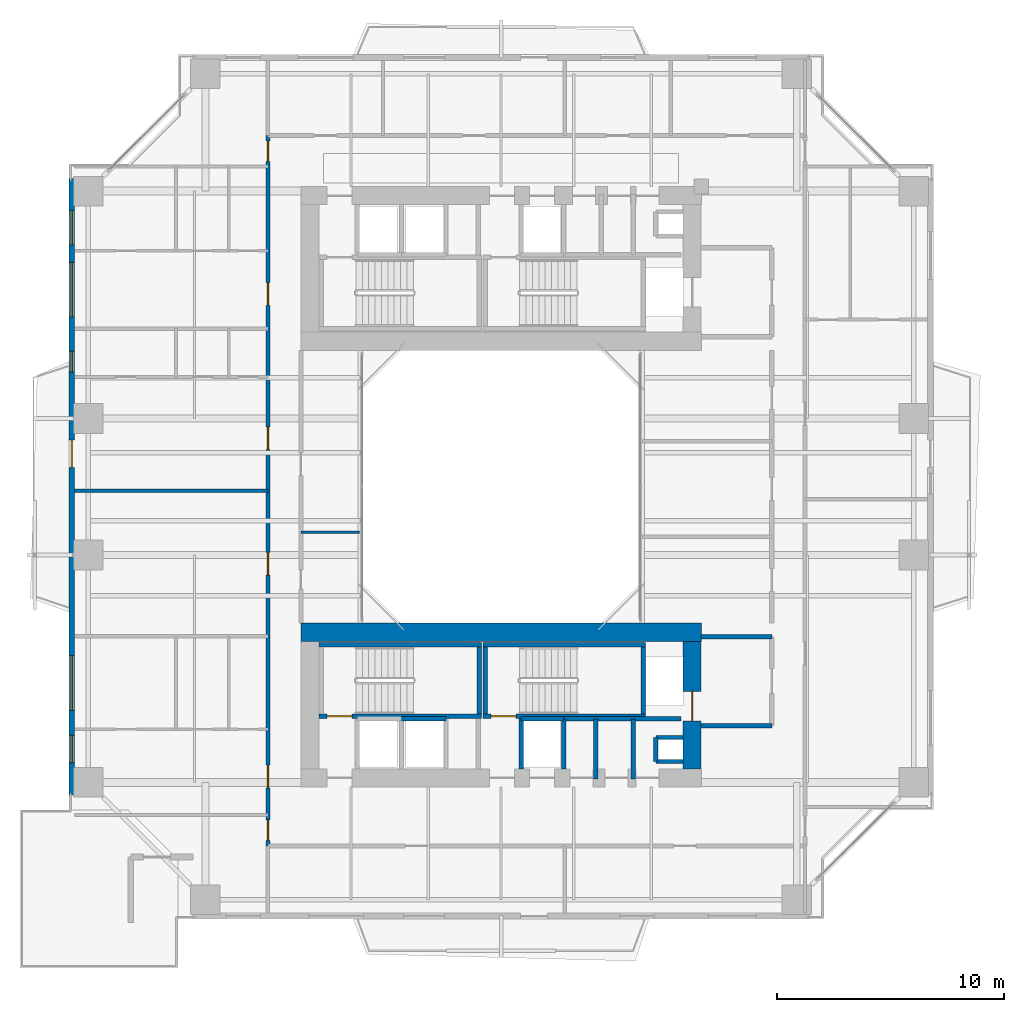
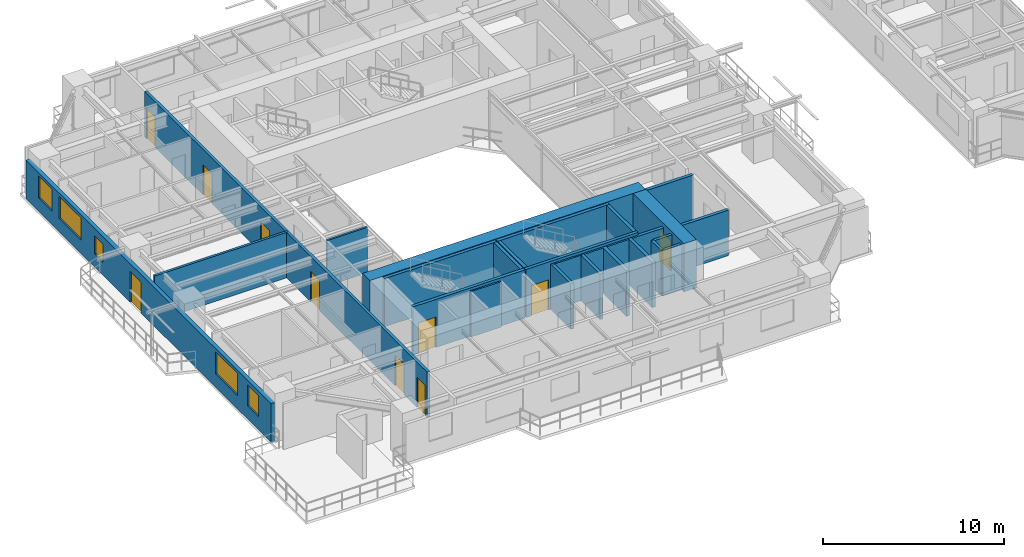
# One storey, part 13 of 24: 25 walls, 10 doors, 5 windows, 15 openings.
"""IFC4 building model written with IfcOpenShell, lengths in metres."""

from ifc_helpers import new_model, si_unit, direction, frame, frame_2d, origin, place, context, subcontext, project, spatial, rectangle, extrude, source, transform, mapped, material, layer, layer_set, type_object, element, fill, save


model = new_model("IFC4")

# Units and contexts
model_context = context("Model", 3, precision=1e-05, world=origin(), true_north=direction((0.0, 1.0)))
body_context = subcontext(model_context, "Body", "Model", "MODEL_VIEW")
ifc_project = project(units=[si_unit("LENGTHUNIT", "METRE"), si_unit("AREAUNIT", "SQUARE_METRE"), si_unit("VOLUMEUNIT", "CUBIC_METRE"), si_unit("PLANEANGLEUNIT", "RADIAN"), si_unit("MASSUNIT", "GRAM", prefix="KILO"), si_unit("THERMODYNAMICTEMPERATUREUNIT", "KELVIN"), si_unit("POWERUNIT", "WATT")], contexts=[model_context])

# Site, building, storey
site_placement = place(None, origin())
site = spatial("IfcSite", under=ifc_project, at=site_placement, CompositionType="ELEMENT")
building_placement = place(site_placement, origin())
building = spatial("IfcBuilding", under=site, at=building_placement, Name="Qiaomeng Ring Towers", CompositionType="ELEMENT")
storey_placement = place(building_placement, frame((0.0, 0.0, 63.25)))
storey = spatial("IfcBuildingStorey", under=building, at=storey_placement, Name="L17", CompositionType="ELEMENT", Elevation=63.25)

# Wall, openings, door, windows
ifc_material_1 = material(Name="Precast concrete C40", Category="concrete")
ifc_layer_1 = layer(ifc_material_1, 0.25, Name="Precast concrete C40")
ifc_layer_set_1 = layer_set([ifc_layer_1], Name="Precast concrete C40")
wall_type_1 = type_object("IfcWallType", Name="ARC-WL-EW1", PredefinedType="STANDARD", material=ifc_layer_set_1)
wall_1_placement = place(storey_placement, frame((0.125, 9.449951171875, 0.0), z_axis=(0.0, 0.0, 1.0), x_axis=(0.0, 1.0, 0.0)))
wall_1 = element("IfcWall", 1, at=wall_1_placement, inside=storey, type_object=wall_type_1, Name="L17 Tower 1 W Exterior Wall", PredefinedType="STANDARD", context=body_context, shape_type="SweptSolid", body=[
    extrude(rectangle(XDim=27.10009765625, YDim=0.25, at=frame_2d((13.550048828125, 0.0))), origin(), (0.0, 0.0, 1.0), 2.610107421875),
])
opening_1_placement = place(wall_1_placement, frame((14.39990234375, 0.0, 0.0)))
opening_1 = element("IfcOpeningElement", 2, at=opening_1_placement, cuts=wall_1, Name="Opening BD1", PredefinedType="OPENING", context=body_context, shape_type="SweptSolid", body=[
    extrude(rectangle(XDim=1.199951171875, YDim=2.10009765625, at=frame_2d((0.60009765625, 1.050048828125))), frame((0.0, 0.135009765625, 0.0), z_axis=(0.0, -1.0, 0.0), x_axis=(1.0, 0.0, 0.0)), (0.0, 0.0, 1.0), 0.27001953125),
])
opening_2_placement = place(wall_1_placement, frame((1.41748046875, 0.0, 0.89990234375)))
opening_2 = element("IfcOpeningElement", 3, at=opening_2_placement, cuts=wall_1, Name="Opening WN3", PredefinedType="OPENING", context=body_context, shape_type="SweptSolid", body=[
    extrude(rectangle(XDim=1.199951171875, YDim=1.39990234375, at=frame_2d((0.60009765625, 0.699951171875))), frame((0.0, 0.135009765625, 0.0), z_axis=(0.0, -1.0, 0.0), x_axis=(1.0, 0.0, 0.0)), (0.0, 0.0, 1.0), 0.27001953125),
])
opening_3_placement = place(wall_1_placement, frame((24.1875, 0.0, 0.89990234375)))
opening_3 = element("IfcOpeningElement", 4, at=opening_3_placement, cuts=wall_1, Name="Opening WN2", PredefinedType="OPENING", context=body_context, shape_type="SweptSolid", body=[
    extrude(rectangle(XDim=1.5, YDim=1.5, at=frame_2d((0.75, 0.75))), frame((0.0, 0.135009765625, 0.0), z_axis=(0.0, -1.0, 0.0), x_axis=(1.0, 0.0, 0.0)), (0.0, 0.0, 1.0), 0.27001953125),
])
opening_4_placement = place(wall_1_placement, frame((3.722412109375, 0.0, 0.89990234375)))
opening_4 = element("IfcOpeningElement", 5, at=opening_4_placement, cuts=wall_1, Name="Opening WN6", PredefinedType="OPENING", context=body_context, shape_type="SweptSolid", body=[
    extrude(rectangle(XDim=2.39990234375, YDim=1.5, at=frame_2d((1.199951171875, 0.75))), frame((0.0, 0.135009765625, 0.0), z_axis=(0.0, -1.0, 0.0), x_axis=(1.0, 0.0, 0.0)), (0.0, 0.0, 1.0), 0.27001953125),
])
opening_5_placement = place(wall_1_placement, frame((21.017578125, 0.0, 0.89990234375)))
opening_5 = element("IfcOpeningElement", 6, at=opening_5_placement, cuts=wall_1, Name="Opening WN6", PredefinedType="OPENING", context=body_context, shape_type="SweptSolid", body=[
    extrude(rectangle(XDim=2.39990234375, YDim=1.5, at=frame_2d((1.199951171875, 0.75))), frame((0.0, 0.135009765625, 0.0), z_axis=(0.0, -1.0, 0.0), x_axis=(1.0, 0.0, 0.0)), (0.0, 0.0, 1.0), 0.27001953125),
])
opening_6_placement = place(wall_1_placement, frame((18.60009765625, 0.0, 0.89990234375)))
opening_6 = element("IfcOpeningElement", 7, at=opening_6_placement, cuts=wall_1, Name="Opening WN5", PredefinedType="OPENING", context=body_context, shape_type="SweptSolid", body=[
    extrude(rectangle(XDim=0.89990234375, YDim=1.199951171875, at=frame_2d((0.449951171875, 0.60009765625))), frame((0.0, 0.135009765625, 0.0), z_axis=(0.0, -1.0, 0.0), x_axis=(1.0, 0.0, 0.0)), (0.0, 0.0, 1.0), 0.27001953125),
])
ifc_material_2 = material(Name="Low-E dark-grey laminated double glazing", Category="glass")
door_type_1 = type_object("IfcDoorType", Name="ARC-DR-BD1", OperationType="NOTDEFINED", PredefinedType="DOOR", material=ifc_material_2)
shared_shape_1 = source(origin(), body_context, "Body", "SweptSolid", [
    extrude(rectangle(XDim=1.199951171875, YDim=2.10009765625, at=frame_2d((0.60009765625, 1.050048828125))), frame((0.0, 0.02490234375, 0.0), z_axis=(0.0, -1.0, 0.0), x_axis=(1.0, 0.0, 0.0)), (0.0, 0.0, 1.0), 0.050048828125),
])
door_1_placement = place(opening_1_placement, frame((1.199951171875, 0.0, 0.0), z_axis=(0.0, 0.0, 1.0), x_axis=(-1.0, 0.0, 0.0)))
door_1 = element("IfcDoor", 8, at=door_1_placement, inside=storey, type_object=door_type_1, Name="L17 W Balcony Glazed Door", OperationType="SINGLE_SWING_LEFT", OverallHeight=2.10009765625, OverallWidth=1.199951171875, PredefinedType="DOOR", context=body_context, shape_type="MappedRepresentation", body=[
    mapped(shared_shape_1, transform((0.0, 0.0, 0.0), x_axis=(1.0, 0.0, 0.0), y_axis=(0.0, 1.0, 0.0), z_axis=(0.0, 0.0, 1.0), scale=1.0)),
])
fill(opening_1, door_1)
window_type_1 = type_object("IfcWindowType", Name="ARC-WN-2", PartitioningType="DOUBLE_PANEL_VERTICAL", PredefinedType="WINDOW", material=ifc_material_2)
shared_shape_2 = source(origin(), body_context, "Body", "SweptSolid", [
    extrude(rectangle(XDim=1.5, YDim=1.5, at=frame_2d((0.75, 0.75))), frame((0.0, 0.030029296875, 0.0), z_axis=(0.0, -1.0, 0.0), x_axis=(1.0, 0.0, 0.0)), (0.0, 0.0, 1.0), 0.06005859375),
])
window_1_placement = place(opening_3_placement, origin())
window_1 = element("IfcWindow", 9, at=window_1_placement, inside=storey, type_object=window_type_1, Name="L17 Exterior Window WN4", OverallHeight=1.5, OverallWidth=1.5, PartitioningType="TRIPLE_PANEL_VERTICAL", PredefinedType="WINDOW", context=body_context, shape_type="MappedRepresentation", body=[
    mapped(shared_shape_2, transform((0.0, 0.0, 0.0), x_axis=(1.0, 0.0, 0.0), y_axis=(0.0, 1.0, 0.0), z_axis=(0.0, 0.0, 1.0), scale=1.0)),
])
fill(opening_3, window_1)
window_type_2 = type_object("IfcWindowType", Name="ARC-WN-6", PartitioningType="TRIPLE_PANEL_VERTICAL", PredefinedType="WINDOW", material=ifc_material_2)
shared_shape_3 = source(origin(), body_context, "Body", "SweptSolid", [
    extrude(rectangle(XDim=2.39990234375, YDim=1.5, at=frame_2d((1.199951171875, 0.75))), frame((0.0, 0.030029296875, 0.0), z_axis=(0.0, -1.0, 0.0), x_axis=(1.0, 0.0, 0.0)), (0.0, 0.0, 1.0), 0.06005859375),
])
window_2_placement = place(opening_4_placement, origin())
window_2 = element("IfcWindow", 10, at=window_2_placement, inside=storey, type_object=window_type_2, Name="L17 Exterior Window WN6", OverallHeight=1.5, OverallWidth=2.39990234375, PartitioningType="TRIPLE_PANEL_VERTICAL", PredefinedType="WINDOW", context=body_context, shape_type="MappedRepresentation", body=[
    mapped(shared_shape_3, transform((0.0, 0.0, 0.0), x_axis=(1.0, 0.0, 0.0), y_axis=(0.0, 1.0, 0.0), z_axis=(0.0, 0.0, 1.0), scale=1.0)),
])
fill(opening_4, window_2)
window_3_placement = place(opening_5_placement, origin())
window_3 = element("IfcWindow", 11, at=window_3_placement, inside=storey, type_object=window_type_2, Name="L17 Exterior Window WN6", OverallHeight=1.5, OverallWidth=2.39990234375, PartitioningType="TRIPLE_PANEL_VERTICAL", PredefinedType="WINDOW", context=body_context, shape_type="MappedRepresentation", body=[
    mapped(shared_shape_3, transform((0.0, 0.0, 0.0), x_axis=(1.0, 0.0, 0.0), y_axis=(0.0, 1.0, 0.0), z_axis=(0.0, 0.0, 1.0), scale=1.0)),
])
fill(opening_5, window_3)
window_type_3 = type_object("IfcWindowType", Name="ARC-WN-3", PartitioningType="SINGLE_PANEL", PredefinedType="WINDOW", material=ifc_material_2)
shared_shape_4 = source(origin(), body_context, "Body", "SweptSolid", [
    extrude(rectangle(XDim=1.199951171875, YDim=1.39990234375, at=frame_2d((0.60009765625, 0.699951171875))), frame((0.0, 0.030029296875, 0.0), z_axis=(0.0, -1.0, 0.0), x_axis=(1.0, 0.0, 0.0)), (0.0, 0.0, 1.0), 0.06005859375),
])
window_4_placement = place(opening_2_placement, origin())
window_4 = element("IfcWindow", 12, at=window_4_placement, inside=storey, type_object=window_type_3, Name="L17 Exterior Window WN6", OverallHeight=1.39990234375, OverallWidth=1.199951171875, PartitioningType="TRIPLE_PANEL_VERTICAL", PredefinedType="WINDOW", context=body_context, shape_type="MappedRepresentation", body=[
    mapped(shared_shape_4, transform((0.0, 0.0, 0.0), x_axis=(1.0, 0.0, 0.0), y_axis=(0.0, 1.0, 0.0), z_axis=(0.0, 0.0, 1.0), scale=1.0)),
])
fill(opening_2, window_4)
window_type_4 = type_object("IfcWindowType", Name="ARC-WN-5", PartitioningType="SINGLE_PANEL", PredefinedType="WINDOW", material=ifc_material_2)
shared_shape_5 = source(origin(), body_context, "Body", "SweptSolid", [
    extrude(rectangle(XDim=0.89990234375, YDim=1.199951171875, at=frame_2d((0.449951171875, 0.60009765625))), frame((0.0, 0.030029296875, 0.0), z_axis=(0.0, -1.0, 0.0), x_axis=(1.0, 0.0, 0.0)), (0.0, 0.0, 1.0), 0.06005859375),
])
window_5_placement = place(opening_6_placement, origin())
window_5 = element("IfcWindow", 13, at=window_5_placement, inside=storey, type_object=window_type_4, Name="L17 Exterior Window WN5", OverallHeight=1.199951171875, OverallWidth=0.89990234375, PartitioningType="SINGLE_PANEL", PredefinedType="WINDOW", context=body_context, shape_type="MappedRepresentation", body=[
    mapped(shared_shape_5, transform((0.0, 0.0, 0.0), x_axis=(1.0, 0.0, 0.0), y_axis=(0.0, 1.0, 0.0), z_axis=(0.0, 0.0, 1.0), scale=1.0)),
])
fill(opening_6, window_5)

# Walls
ifc_material_3 = material(Name="Autoclaved aerated concrete block", Category="concrete")
ifc_layer_2 = layer(ifc_material_3, 0.199951171875, Name="Autoclaved aerated concrete block")
ifc_layer_set_2 = layer_set([ifc_layer_2], Name="Autoclaved aerated concrete block")
wall_type_2 = type_object("IfcWallType", Name="ARC-WL-PW1", PredefinedType="PARTITIONING", material=ifc_layer_set_2)
for number, where, z_axis, x_axis, name in (
    (14, (27.800048828125, 16.39990234375, 0.0), (0.0, 0.0, 1.0), (1.0, 0.0, 0.0), "L17 Interior Wall PW1"),
    (15, (27.800048828125, 12.5, 0.0), (0.0, 0.0, 1.0), (1.0, 0.0, 0.0), "L17 Interior Wall PW1"),
):
    element("IfcWall", number, at=place(storey_placement, frame(where, z_axis=z_axis, x_axis=x_axis)), inside=storey, type_object=wall_type_2, Name=name, PredefinedType="PARTITIONING", context=body_context, shape_type="SweptSolid", body=[
        extrude(rectangle(XDim=3.099853515625, YDim=0.199951171875, at=frame_2d((1.5498046875, 0.0))), origin(), (0.0, 0.0, 1.0), 3.070068359375),
    ])
wall_2_placement = place(storey_placement, frame((19.8798828125, 10.60009765625, 0.0), z_axis=(0.0, 0.0, 1.0), x_axis=(0.0, 1.0, 0.0)))
element("IfcWall", 16, at=wall_2_placement, inside=storey, type_object=wall_type_2, Name="L17 Interior Wall PW1", PredefinedType="PARTITIONING", context=body_context, shape_type="SweptSolid", body=[
    extrude(rectangle(XDim=2.2099609375, YDim=0.199951171875, at=frame_2d((1.10498046875, 0.0))), origin(), (0.0, 0.0, 1.0), 3.070068359375),
])
wall_3_placement = place(storey_placement, frame((24.820068359375, 10.14990234375, 0.0), z_axis=(0.0, 0.0, 1.0), x_axis=(0.0, 1.0, 0.0)))
element("IfcWall", 17, at=wall_3_placement, inside=storey, type_object=wall_type_2, Name="L17 Interior Wall PW1", PredefinedType="PARTITIONING", context=body_context, shape_type="SweptSolid", body=[
    extrude(rectangle(XDim=2.650146484375, YDim=0.199951171875, at=frame_2d((1.3251953125, 0.0))), origin(), (0.0, 0.0, 1.0), 3.070068359375),
])
wall_4_placement = place(storey_placement, frame((21.75, 10.60009765625, 0.0), z_axis=(0.0, 0.0, 1.0), x_axis=(0.0, 1.0, 0.0)))
element("IfcWall", 18, at=wall_4_placement, inside=storey, type_object=wall_type_2, Name="L17 Interior Wall PW1", PredefinedType="PARTITIONING", context=body_context, shape_type="SweptSolid", body=[
    extrude(rectangle(XDim=2.199951171875, YDim=0.199951171875, at=frame_2d((1.10009765625, 0.0))), origin(), (0.0, 0.0, 1.0), 3.070068359375),
])
wall_5_placement = place(storey_placement, frame((23.169921875, 10.14990234375, 0.0), z_axis=(0.0, 0.0, 1.0), x_axis=(0.0, 1.0, 0.0)))
element("IfcWall", 19, at=wall_5_placement, inside=storey, type_object=wall_type_2, Name="L17 Interior Wall PW1", PredefinedType="PARTITIONING", context=body_context, shape_type="SweptSolid", body=[
    extrude(rectangle(XDim=2.650146484375, YDim=0.199951171875, at=frame_2d((1.3251953125, 0.0))), origin(), (0.0, 0.0, 1.0), 3.070068359375),
])
wall_6_placement = place(storey_placement, frame((21.75, 12.800048828125, 0.0), z_axis=(0.0, 0.0, 1.0), x_axis=(1.0, 0.0, 0.0)))
element("IfcWall", 20, at=wall_6_placement, inside=storey, type_object=wall_type_2, Name="L17 Interior Wall PW1", PredefinedType="PARTITIONING", context=body_context, shape_type="SweptSolid", body=[
    extrude(rectangle(XDim=5.169921875, YDim=0.199951171875, at=frame_2d((2.5849609375, 0.0))), origin(), (0.0, 0.0, 1.0), 3.070068359375),
])

# Wall, openings, doors
ifc_layer_3 = layer(ifc_material_3, 0.179931640625, Name="Autoclaved aerated concrete block")
ifc_layer_set_3 = layer_set([ifc_layer_3], Name="Autoclaved aerated concrete block")
wall_type_3 = type_object("IfcWallType", Name="ARC-WL-PW2", PredefinedType="PARTITIONING", material=ifc_layer_set_3)
wall_7_placement = place(storey_placement, frame((8.75, 7.2099609375, 0.0), z_axis=(0.0, 0.0, 1.0), x_axis=(0.0, 1.0, 0.0)))
wall_7 = element("IfcWall", 21, at=wall_7_placement, inside=storey, type_object=wall_type_3, Name="L17 Interior Wall PW2", PredefinedType="PARTITIONING", context=body_context, shape_type="SweptSolid", body=[
    extrude(rectangle(XDim=31.22998046875, YDim=0.179931640625, at=frame_2d((15.614990234375, 0.0))), origin(), (0.0, 0.0, 1.0), 3.070068359375),
])
opening_7_placement = place(wall_7_placement, frame((30.090087890625, 0.0, 0.0)))
opening_7 = element("IfcOpeningElement", 22, at=opening_7_placement, cuts=wall_7, Name="Opening ID1", PredefinedType="OPENING", context=body_context, shape_type="SweptSolid", body=[
    extrude(rectangle(XDim=0.89990234375, YDim=2.050048828125, at=frame_2d((0.449951171875, 1.02490234375))), frame((0.0, 0.099853515625, 0.0), z_axis=(0.0, -1.0, 0.0), x_axis=(1.0, 0.0, 0.0)), (0.0, 0.0, 1.0), 0.199951171875),
])
opening_8_placement = place(wall_7_placement, frame((0.239990234375, 0.0, 0.0)))
opening_8 = element("IfcOpeningElement", 23, at=opening_8_placement, cuts=wall_7, Name="Opening ID1", PredefinedType="OPENING", context=body_context, shape_type="SweptSolid", body=[
    extrude(rectangle(XDim=0.89990234375, YDim=2.050048828125, at=frame_2d((0.449951171875, 1.02490234375))), frame((0.0, 0.099853515625, 0.0), z_axis=(0.0, -1.0, 0.0), x_axis=(1.0, 0.0, 0.0)), (0.0, 0.0, 1.0), 0.199951171875),
])
opening_9_placement = place(wall_7_placement, frame((2.554931640625, 0.0, 0.0)))
opening_9 = element("IfcOpeningElement", 24, at=opening_9_placement, cuts=wall_7, Name="Opening FD4", PredefinedType="OPENING", context=body_context, shape_type="SweptSolid", body=[
    extrude(rectangle(XDim=1.0, YDim=2.050048828125, at=frame_2d((0.5, 1.02490234375))), frame((0.0, 0.099853515625, 0.0), z_axis=(0.0, -1.0, 0.0), x_axis=(1.0, 0.0, 0.0)), (0.0, 0.0, 1.0), 0.199951171875),
])
opening_10_placement = place(wall_7_placement, frame((11.909912109375, 0.0, 0.0)))
opening_10 = element("IfcOpeningElement", 25, at=opening_10_placement, cuts=wall_7, Name="Opening FD4", PredefinedType="OPENING", context=body_context, shape_type="SweptSolid", body=[
    extrude(rectangle(XDim=1.0, YDim=2.050048828125, at=frame_2d((0.5, 1.02490234375))), frame((0.0, 0.099853515625, 0.0), z_axis=(0.0, -1.0, 0.0), x_axis=(1.0, 0.0, 0.0)), (0.0, 0.0, 1.0), 0.199951171875),
])
opening_11_placement = place(wall_7_placement, frame((17.425048828125, 0.0, 0.0)))
opening_11 = element("IfcOpeningElement", 26, at=opening_11_placement, cuts=wall_7, Name="Opening FD4", PredefinedType="OPENING", context=body_context, shape_type="SweptSolid", body=[
    extrude(rectangle(XDim=1.0, YDim=2.050048828125, at=frame_2d((0.5, 1.02490234375))), frame((0.0, 0.099853515625, 0.0), z_axis=(0.0, -1.0, 0.0), x_axis=(1.0, 0.0, 0.0)), (0.0, 0.0, 1.0), 0.199951171875),
])
opening_12_placement = place(wall_7_placement, frame((23.760009765625, 0.0, 0.0)))
opening_12 = element("IfcOpeningElement", 27, at=opening_12_placement, cuts=wall_7, Name="Opening FD4", PredefinedType="OPENING", context=body_context, shape_type="SweptSolid", body=[
    extrude(rectangle(XDim=1.0, YDim=2.050048828125, at=frame_2d((0.5, 1.02490234375))), frame((0.0, 0.099853515625, 0.0), z_axis=(0.0, -1.0, 0.0), x_axis=(1.0, 0.0, 0.0)), (0.0, 0.0, 1.0), 0.199951171875),
])
ifc_material_4 = material(Name="Engineered fire-rated oak timber", Category="wood")
door_type_2 = type_object("IfcDoorType", Name="ARC-DR-FD4", OperationType="NOTDEFINED", PredefinedType="DOOR", material=ifc_material_4)
shared_shape_6 = source(origin(), body_context, "Body", "SweptSolid", [
    extrude(rectangle(XDim=1.0, YDim=2.050048828125, at=frame_2d((0.5, 1.02490234375))), frame((0.0, 0.02490234375, 0.0), z_axis=(0.0, -1.0, 0.0), x_axis=(1.0, 0.0, 0.0)), (0.0, 0.0, 1.0), 0.050048828125),
])
door_2_placement = place(opening_9_placement, origin())
door_2 = element("IfcDoor", 28, at=door_2_placement, inside=storey, type_object=door_type_2, Name="L17 Door FD4", OperationType="SINGLE_SWING_RIGHT", OverallHeight=2.050048828125, OverallWidth=1.0, PredefinedType="DOOR", context=body_context, shape_type="MappedRepresentation", body=[
    mapped(shared_shape_6, transform((0.0, 0.0, 0.0), x_axis=(1.0, 0.0, 0.0), y_axis=(0.0, 1.0, 0.0), z_axis=(0.0, 0.0, 1.0), scale=1.0)),
])
fill(opening_9, door_2)
door_3_placement = place(opening_10_placement, origin())
door_3 = element("IfcDoor", 29, at=door_3_placement, inside=storey, type_object=door_type_2, Name="L17 Door FD4", OperationType="SINGLE_SWING_LEFT", OverallHeight=2.050048828125, OverallWidth=1.0, PredefinedType="DOOR", context=body_context, shape_type="MappedRepresentation", body=[
    mapped(shared_shape_6, transform((0.0, 0.0, 0.0), x_axis=(1.0, 0.0, 0.0), y_axis=(0.0, 1.0, 0.0), z_axis=(0.0, 0.0, 1.0), scale=1.0)),
])
fill(opening_10, door_3)
door_4_placement = place(opening_11_placement, origin())
door_4 = element("IfcDoor", 30, at=door_4_placement, inside=storey, type_object=door_type_2, Name="L17 Door FD4", OperationType="SINGLE_SWING_LEFT", OverallHeight=2.050048828125, OverallWidth=1.0, PredefinedType="DOOR", context=body_context, shape_type="MappedRepresentation", body=[
    mapped(shared_shape_6, transform((0.0, 0.0, 0.0), x_axis=(1.0, 0.0, 0.0), y_axis=(0.0, 1.0, 0.0), z_axis=(0.0, 0.0, 1.0), scale=1.0)),
])
fill(opening_11, door_4)
door_5_placement = place(opening_12_placement, origin())
door_5 = element("IfcDoor", 31, at=door_5_placement, inside=storey, type_object=door_type_2, Name="L17 Door FD4", OperationType="SINGLE_SWING_LEFT", OverallHeight=2.050048828125, OverallWidth=1.0, PredefinedType="DOOR", context=body_context, shape_type="MappedRepresentation", body=[
    mapped(shared_shape_6, transform((0.0, 0.0, 0.0), x_axis=(1.0, 0.0, 0.0), y_axis=(0.0, 1.0, 0.0), z_axis=(0.0, 0.0, 1.0), scale=1.0)),
])
fill(opening_12, door_5)
ifc_material_5 = material(Name="Engineered oak timber", Category="wood")
door_type_3 = type_object("IfcDoorType", Name="ARC-DR-ID1", OperationType="NOTDEFINED", PredefinedType="DOOR", material=ifc_material_5)
shared_shape_7 = source(origin(), body_context, "Body", "SweptSolid", [
    extrude(rectangle(XDim=0.89990234375, YDim=2.050048828125, at=frame_2d((0.449951171875, 1.02490234375))), frame((0.0, 0.02490234375, 0.0), z_axis=(0.0, -1.0, 0.0), x_axis=(1.0, 0.0, 0.0)), (0.0, 0.0, 1.0), 0.050048828125),
])
door_6_placement = place(opening_7_placement, origin())
door_6 = element("IfcDoor", 32, at=door_6_placement, inside=storey, type_object=door_type_3, Name="L17 Door ID1", OperationType="SINGLE_SWING_LEFT", OverallHeight=2.050048828125, OverallWidth=0.89990234375, PredefinedType="DOOR", context=body_context, shape_type="MappedRepresentation", body=[
    mapped(shared_shape_7, transform((0.0, 0.0, 0.0), x_axis=(1.0, 0.0, 0.0), y_axis=(0.0, 1.0, 0.0), z_axis=(0.0, 0.0, 1.0), scale=1.0)),
])
fill(opening_7, door_6)
door_7_placement = place(opening_8_placement, origin())
door_7 = element("IfcDoor", 33, at=door_7_placement, inside=storey, type_object=door_type_3, Name="L17 Door ID1", OperationType="SINGLE_SWING_RIGHT", OverallHeight=2.050048828125, OverallWidth=0.89990234375, PredefinedType="DOOR", context=body_context, shape_type="MappedRepresentation", body=[
    mapped(shared_shape_7, transform((0.0, 0.0, 0.0), x_axis=(1.0, 0.0, 0.0), y_axis=(0.0, 1.0, 0.0), z_axis=(0.0, 0.0, 1.0), scale=1.0)),
])
fill(opening_8, door_7)

# Walls
ifc_material_6 = material(Name="Gypsum fireboard steel-stud partition", Category="steel")
ifc_layer_4 = layer(ifc_material_6, 0.14990234375, Name="Gypsum fireboard steel-stud partition")
ifc_layer_set_4 = layer_set([ifc_layer_4], Name="Gypsum fireboard steel-stud partition")
wall_type_4 = type_object("IfcWallType", Name="ARC-WL-PW3", PredefinedType="PARTITIONING", material=ifc_layer_set_4)
wall_8_placement = place(storey_placement, frame((0.25, 22.820068359375, 0.0), z_axis=(0.0, 0.0, 1.0), x_axis=(1.0, 0.0, 0.0)))
element("IfcWall", 34, at=wall_8_placement, inside=storey, type_object=wall_type_4, Name="L17 Interior Wall PW3", PredefinedType="PARTITIONING", context=body_context, shape_type="SweptSolid", body=[
    extrude(rectangle(XDim=8.5, YDim=0.14990234375, at=frame_2d((4.25, 0.0))), origin(), (0.0, 0.0, 1.0), 3.070068359375),
])
ifc_material_7 = material(Name="Moisture-resistant gypsum steel-stud partition", Category="steel")
ifc_layer_5 = layer(ifc_material_7, 0.1201171875, Name="Moisture-resistant gypsum steel-stud partition")
ifc_layer_set_5 = layer_set([ifc_layer_5], Name="Moisture-resistant gypsum steel-stud partition")
wall_type_5 = type_object("IfcWallType", Name="ARC-WL-PW4", PredefinedType="PLUMBINGWALL", material=ifc_layer_set_5)
wall_9_placement = place(storey_placement, frame((10.199951171875, 21.0, 0.0), z_axis=(0.0, 0.0, 1.0), x_axis=(1.0, 0.0, 0.0)))
element("IfcWall", 35, at=wall_9_placement, inside=storey, type_object=wall_type_5, Name="L17 Interior Wall PW4", PredefinedType="PLUMBINGWALL", context=body_context, shape_type="SweptSolid", body=[
    extrude(rectangle(XDim=2.580078125, YDim=0.1201171875, at=frame_2d((1.2900390625, 0.0))), origin(), (0.0, 0.0, 1.0), 3.070068359375),
])
ifc_material_8 = material(Name="Concrete C40", Category="concrete")
ifc_layer_6 = layer(ifc_material_8, 0.199951171875, Name="Concrete C40")
ifc_layer_set_6 = layer_set([ifc_layer_6], Name="Concrete C40")
wall_type_6 = type_object("IfcWallType", Name="STR-WL-STSHAFT", PredefinedType="SHEAR", material=ifc_layer_set_6)
wall_10_placement = place(storey_placement, frame((25.800048828125, 10.919921875, 0.0), z_axis=(0.0, 0.0, 1.0), x_axis=(0.0, 1.0, 0.0)))
element("IfcWall", 36, at=wall_10_placement, inside=storey, type_object=wall_type_6, Name="L17 Riser RSR1 West Shaft Wall S", PredefinedType="SHEAR", context=body_context, shape_type="SweptSolid", body=[
    extrude(rectangle(XDim=1.06005859375, YDim=0.179931640625, at=frame_2d((0.530029296875, 0.0))), origin(), (0.0, 0.0, 1.0), 3.070068359375),
])
for number, where, z_axis, x_axis, name in (
    (37, (25.800048828125, 11.97998046875, 0.0), (0.0, 0.0, 1.0), (1.0, 0.0, 0.0), "L17 Riser RSR1 North Shaft Wall S"),
    (38, (25.800048828125, 10.919921875, 0.0), (0.0, 0.0, 1.0), (1.0, 0.0, 0.0), "L17 Riser RSR1 South Shaft Wall S"),
):
    element("IfcWall", number, at=place(storey_placement, frame(where, z_axis=z_axis, x_axis=x_axis)), inside=storey, type_object=wall_type_6, Name=name, PredefinedType="SHEAR", context=body_context, shape_type="SweptSolid", body=[
        extrude(rectangle(XDim=1.199951171875, YDim=0.179931640625, at=frame_2d((0.60009765625, 0.0))), origin(), (0.0, 0.0, 1.0), 3.070068359375),
    ])
wall_11_placement = place(storey_placement, frame((14.6201171875, 12.800048828125, 0.0), z_axis=(0.0, 0.0, 1.0), x_axis=(1.0, 0.0, 0.0)))
element("IfcWall", 39, at=wall_11_placement, inside=storey, type_object=wall_type_6, Name="L17 Lift LP4 Shaft Back Wall", PredefinedType="SHEAR", context=body_context, shape_type="SweptSolid", body=[
    extrude(rectangle(XDim=1.9599609375, YDim=0.179931640625, at=frame_2d((0.97998046875, 0.0))), origin(), (0.0, 0.0, 1.0), 3.070068359375),
])
wall_12_placement = place(storey_placement, frame((19.8798828125, 12.800048828125, 0.0), z_axis=(0.0, 0.0, 1.0), x_axis=(1.0, 0.0, 0.0)))
element("IfcWall", 40, at=wall_12_placement, inside=storey, type_object=wall_type_6, Name="L17 Lift LP2 Shaft Back Wall", PredefinedType="SHEAR", context=body_context, shape_type="SweptSolid", body=[
    extrude(rectangle(XDim=1.8701171875, YDim=0.179931640625, at=frame_2d((0.93505859375, 0.0))), origin(), (0.0, 0.0, 1.0), 3.070068359375),
])

# Wall, opening, door
wall_13_placement = place(storey_placement, frame((11.0, 12.909912109375, 0.0), z_axis=(0.0, 0.0, 1.0), x_axis=(1.0, 0.0, 0.0)))
wall_13 = element("IfcWall", 41, at=wall_13_placement, inside=storey, type_object=wall_type_6, Name="L17 Stair ST3 South Shaft Shear Wall", PredefinedType="SHEAR", context=body_context, shape_type="SweptSolid", body=[
    extrude(rectangle(XDim=7.14990234375, YDim=0.199951171875, at=frame_2d((3.574951171875, 0.0))), origin(), (0.0, 0.0, 1.0), 3.25),
])
opening_13_placement = place(wall_13_placement, frame((0.35009765625, 0.0, 0.0)))
opening_13 = element("IfcOpeningElement", 42, at=opening_13_placement, cuts=wall_13, Name="Opening FD3", PredefinedType="OPENING", context=body_context, shape_type="SweptSolid", body=[
    extrude(rectangle(XDim=1.10009765625, YDim=2.050048828125, at=frame_2d((0.550048828125, 1.02490234375))), frame((0.0, 0.10986328125, 0.0), z_axis=(0.0, -1.0, 0.0), x_axis=(1.0, 0.0, 0.0)), (0.0, 0.0, 1.0), 0.219970703125),
])
ifc_material_9 = material(Name="Galvanised steel", Category="steel")
door_type_4 = type_object("IfcDoorType", Name="ARC-DR-FD3", OperationType="NOTDEFINED", PredefinedType="DOOR", material=ifc_material_9)
shared_shape_8 = source(origin(), body_context, "Body", "SweptSolid", [
    extrude(rectangle(XDim=1.10009765625, YDim=2.050048828125, at=frame_2d((0.550048828125, 1.02490234375))), frame((0.0, 0.02490234375, 0.0), z_axis=(0.0, -1.0, 0.0), x_axis=(1.0, 0.0, 0.0)), (0.0, 0.0, 1.0), 0.050048828125),
])
door_8_placement = place(opening_13_placement, frame((1.10009765625, 0.0, 0.0), z_axis=(0.0, 0.0, 1.0), x_axis=(-1.0, 0.0, 0.0)))
door_8 = element("IfcDoor", 43, at=door_8_placement, inside=storey, type_object=door_type_4, Name="L17 Stair ST3 Exit Door", OperationType="SINGLE_SWING_RIGHT", OverallHeight=2.050048828125, OverallWidth=1.10009765625, PredefinedType="DOOR", context=body_context, shape_type="MappedRepresentation", body=[
    mapped(shared_shape_8, transform((0.0, 0.0, 0.0), x_axis=(1.0, 0.0, 0.0), y_axis=(0.0, 1.0, 0.0), z_axis=(0.0, 0.0, 1.0), scale=1.0)),
])
fill(opening_13, door_8)

# Walls
wall_14_placement = place(storey_placement, frame((11.0, 16.050048828125, 0.0), z_axis=(0.0, 0.0, 1.0), x_axis=(1.0, 0.0, 0.0)))
element("IfcWall", 44, at=wall_14_placement, inside=storey, type_object=wall_type_6, Name="L17 Stair ST3 North Shaft Shear Wall", PredefinedType="SHEAR", context=body_context, shape_type="SweptSolid", body=[
    extrude(rectangle(XDim=7.14990234375, YDim=0.199951171875, at=frame_2d((3.574951171875, 0.0))), origin(), (0.0, 0.0, 1.0), 3.25),
])
wall_15_placement = place(storey_placement, frame((18.050048828125, 13.010009765625, 0.0), z_axis=(0.0, 0.0, 1.0), x_axis=(0.0, 1.0, 0.0)))
element("IfcWall", 45, at=wall_15_placement, inside=storey, type_object=wall_type_6, Name="L17 Stair ST3 East Shaft Shear Wall", PredefinedType="SHEAR", context=body_context, shape_type="SweptSolid", body=[
    extrude(rectangle(XDim=2.93994140625, YDim=0.199951171875, at=frame_2d((1.469970703125, 0.0))), origin(), (0.0, 0.0, 1.0), 3.25),
])

# Wall, opening, door
wall_16_placement = place(storey_placement, frame((18.199951171875, 12.909912109375, 0.0), z_axis=(0.0, 0.0, 1.0), x_axis=(1.0, 0.0, 0.0)))
wall_16 = element("IfcWall", 46, at=wall_16_placement, inside=storey, type_object=wall_type_6, Name="L17 Stair ST4 South Shaft Shear Wall", PredefinedType="SHEAR", context=body_context, shape_type="SweptSolid", body=[
    extrude(rectangle(XDim=7.150146484375, YDim=0.199951171875, at=frame_2d((3.5751953125, 0.0))), origin(), (0.0, 0.0, 1.0), 3.25),
])
opening_14_placement = place(wall_16_placement, frame((0.35009765625, 0.0, 0.0)))
opening_14 = element("IfcOpeningElement", 47, at=opening_14_placement, cuts=wall_16, Name="Opening FD3", PredefinedType="OPENING", context=body_context, shape_type="SweptSolid", body=[
    extrude(rectangle(XDim=1.10009765625, YDim=2.050048828125, at=frame_2d((0.550048828125, 1.02490234375))), frame((0.0, 0.10986328125, 0.0), z_axis=(0.0, -1.0, 0.0), x_axis=(1.0, 0.0, 0.0)), (0.0, 0.0, 1.0), 0.219970703125),
])
door_9_placement = place(opening_14_placement, frame((1.10009765625, 0.0, 0.0), z_axis=(0.0, 0.0, 1.0), x_axis=(-1.0, 0.0, 0.0)))
door_9 = element("IfcDoor", 48, at=door_9_placement, inside=storey, type_object=door_type_4, Name="L17 Stair ST4 Exit Door", OperationType="SINGLE_SWING_RIGHT", OverallHeight=2.050048828125, OverallWidth=1.10009765625, PredefinedType="DOOR", context=body_context, shape_type="MappedRepresentation", body=[
    mapped(shared_shape_8, transform((0.0, 0.0, 0.0), x_axis=(1.0, 0.0, 0.0), y_axis=(0.0, 1.0, 0.0), z_axis=(0.0, 0.0, 1.0), scale=1.0)),
])
fill(opening_14, door_9)

# Walls
wall_17_placement = place(storey_placement, frame((18.199951171875, 16.050048828125, 0.0), z_axis=(0.0, 0.0, 1.0), x_axis=(1.0, 0.0, 0.0)))
element("IfcWall", 49, at=wall_17_placement, inside=storey, type_object=wall_type_6, Name="L17 Stair ST4 North Shaft Shear Wall", PredefinedType="SHEAR", context=body_context, shape_type="SweptSolid", body=[
    extrude(rectangle(XDim=7.150146484375, YDim=0.199951171875, at=frame_2d((3.5751953125, 0.0))), origin(), (0.0, 0.0, 1.0), 3.25),
])
for number, where, z_axis, x_axis, name in (
    (50, (18.300048828125, 13.010009765625, 0.0), (0.0, 0.0, 1.0), (0.0, 1.0, 0.0), "L17 Stair ST4 West Shaft Shear Wall"),
    (51, (25.25, 13.010009765625, 0.0), (0.0, 0.0, 1.0), (0.0, 1.0, 0.0), "L17 Stair ST4 East Shaft Shear Wall"),
):
    element("IfcWall", number, at=place(storey_placement, frame(where, z_axis=z_axis, x_axis=x_axis)), inside=storey, type_object=wall_type_6, Name=name, PredefinedType="SHEAR", context=body_context, shape_type="SweptSolid", body=[
        extrude(rectangle(XDim=2.93994140625, YDim=0.199951171875, at=frame_2d((1.469970703125, 0.0))), origin(), (0.0, 0.0, 1.0), 3.25),
    ])
ifc_material_10 = material(Name="Concrete C60", Category="concrete")
ifc_layer_7 = layer(ifc_material_10, 0.800048828125, Name="Concrete C60")
ifc_layer_set_7 = layer_set([ifc_layer_7], Name="Concrete C60")
wall_type_7 = type_object("IfcWallType", Name="STR-WL-SW1", PredefinedType="SHEAR", material=ifc_layer_set_7)
wall_18_placement = place(storey_placement, frame((10.199951171875, 16.60009765625, 0.0), z_axis=(0.0, 0.0, 1.0), x_axis=(1.0, 0.0, 0.0)))
element("IfcWall", 52, at=wall_18_placement, inside=storey, type_object=wall_type_7, Name="L17 T1SC north core shear wall", PredefinedType="SHEAR", context=body_context, shape_type="SweptSolid", body=[
    extrude(rectangle(XDim=17.60009765625, YDim=0.800048828125, at=frame_2d((8.800048828125, 0.0))), origin(), (0.0, 0.0, 1.0), 3.25),
])

# Wall, opening, door
wall_19_placement = place(storey_placement, frame((27.39990234375, 10.60009765625, 0.0), z_axis=(0.0, 0.0, 1.0), x_axis=(0.0, 1.0, 0.0)))
wall_19 = element("IfcWall", 53, at=wall_19_placement, inside=storey, type_object=wall_type_7, Name="L17 T1SC east core shear wall", PredefinedType="SHEAR", context=body_context, shape_type="SweptSolid", body=[
    extrude(rectangle(XDim=5.599853515625, YDim=0.800048828125, at=frame_2d((2.7998046875, 0.0))), origin(), (0.0, 0.0, 1.0), 3.25),
])
opening_15_placement = place(wall_19_placement, frame((2.10009765625, 0.0, 0.0)))
opening_15 = element("IfcOpeningElement", 54, at=opening_15_placement, cuts=wall_19, Name="Opening LD2", PredefinedType="OPENING", context=body_context, shape_type="SweptSolid", body=[
    extrude(rectangle(XDim=1.300048828125, YDim=2.050048828125, at=frame_2d((0.64990234375, 1.02490234375))), frame((0.0, 0.409912109375, 0.0), z_axis=(0.0, -1.0, 0.0), x_axis=(1.0, 0.0, 0.0)), (0.0, 0.0, 1.0), 0.820068359375),
])
ifc_material_11 = material(Name="Stainless steel 316", Category="steel")
door_type_5 = type_object("IfcDoorType", Name="ARC-DR-LD2", OperationType="NOTDEFINED", PredefinedType="DOOR", material=ifc_material_11)
shared_shape_9 = source(origin(), body_context, "Body", "SweptSolid", [
    extrude(rectangle(XDim=1.300048828125, YDim=2.050048828125, at=frame_2d((0.64990234375, 1.02490234375))), frame((0.0, 0.02490234375, 0.0), z_axis=(0.0, -1.0, 0.0), x_axis=(1.0, 0.0, 0.0)), (0.0, 0.0, 1.0), 0.050048828125),
])
door_10_placement = place(opening_15_placement, origin())
door_10 = element("IfcDoor", 55, at=door_10_placement, inside=storey, type_object=door_type_5, Name="L17 Firefighting Lift FL2 Landing Door", OperationType="SLIDING_TO_RIGHT", OverallHeight=2.050048828125, OverallWidth=1.300048828125, PredefinedType="DOOR", context=body_context, shape_type="MappedRepresentation", body=[
    mapped(shared_shape_9, transform((0.0, 0.0, 0.0), x_axis=(1.0, 0.0, 0.0), y_axis=(0.0, 1.0, 0.0), z_axis=(0.0, 0.0, 1.0), scale=1.0)),
])
fill(opening_15, door_10)

save(model, "model.ifc")
